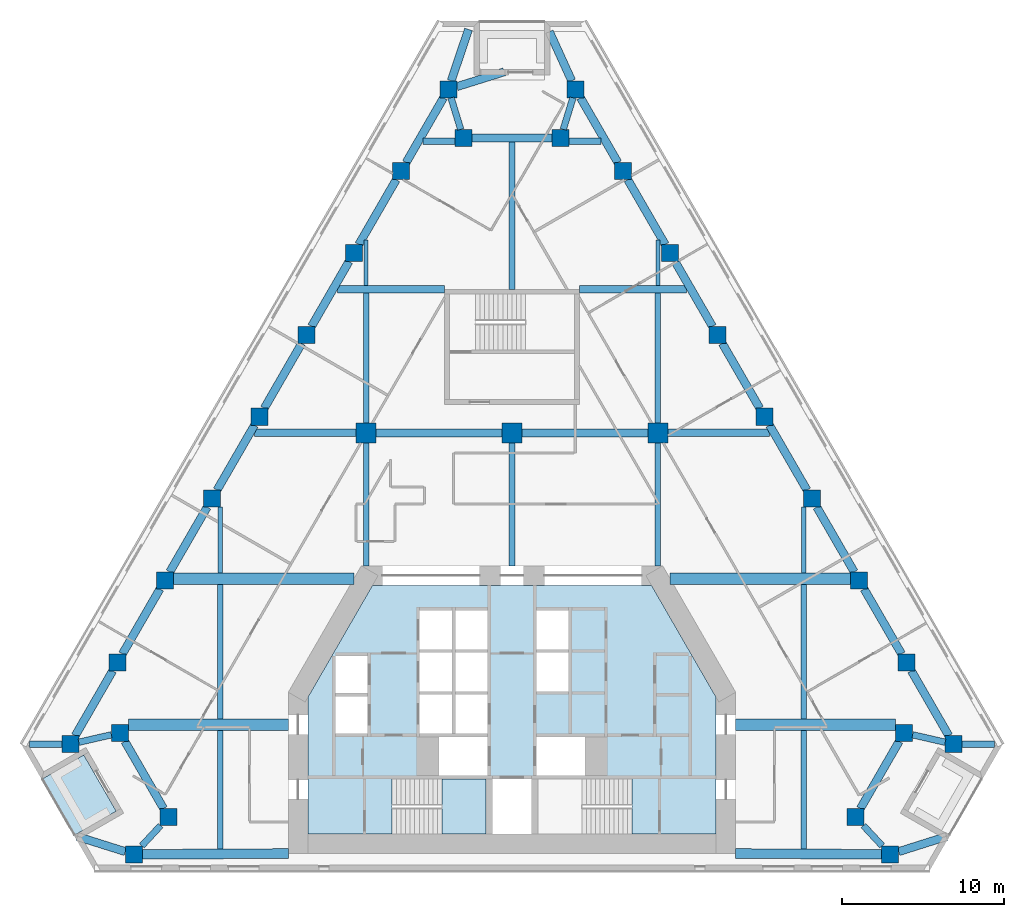
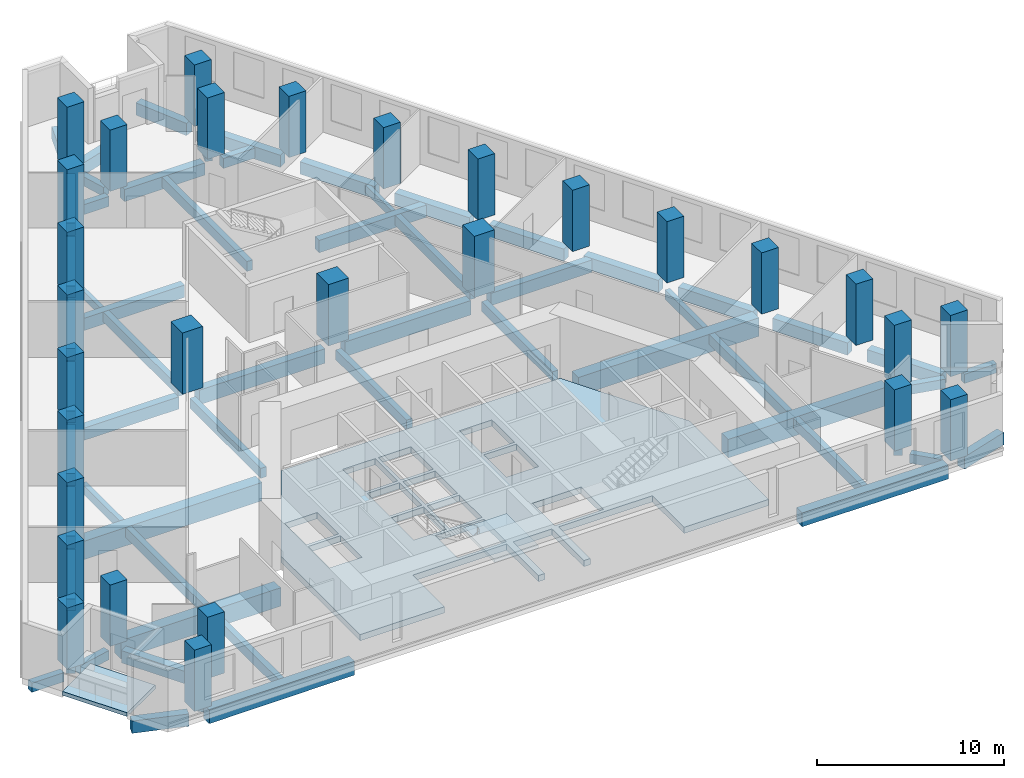
# One storey, part 1 of 10: 60 beams, 29 columns, 3 slabs, 1 element without a shape of its own.
"""IFC4 building model written with IfcOpenShell, lengths in metres."""

import ifcopenshell
import ifcopenshell.guid

model = None  # the IFC model being written
_history = None  # IfcOwnerHistory: only IFC2X3 demands one
_inside = {}  # id of a spatial element -> (the spatial element, [elements in it])
_under = {}  # id of a project, library or spatial element -> (it, [spatial elements below it])
_declared = {}  # id of a project -> (the project, [libraries it declares])
_typed = {}  # id of a type object -> (the type object, [elements of that type])
_made_of = {}  # id of a material, layer set ... -> (it, [elements and type objects made of it])


def new_model(schema):
    """Start an empty IFC model of exactly this schema.

    Asked for "IFC4X3", IfcOpenShell would pick the latest addendum, in which some entities
    have other attributes; the version numbers below select the first issue.
    IFC2X3 requires an IfcOwnerHistory on every rooted entity: one is made here for all.
    """
    global model, _history
    if schema == "IFC4X3":
        model = ifcopenshell.file(schema_version=(4, 3, 0, 0))
    else:
        model = ifcopenshell.file(schema=schema)
    _inside.clear()
    _under.clear()
    _declared.clear()
    _typed.clear()
    _made_of.clear()
    _history = None
    if model.schema == "IFC2X3":
        org = make("IfcOrganization", Name="unknown")
        user = make(
            "IfcPersonAndOrganization",
            ThePerson=make("IfcPerson", FamilyName="unknown"),
            TheOrganization=org,
        )
        app = make(
            "IfcApplication",
            ApplicationDeveloper=org,
            Version="unknown",
            ApplicationFullName="unknown",
            ApplicationIdentifier="unknown",
        )
        _history = make(
            "IfcOwnerHistory",
            OwningUser=user,
            OwningApplication=app,
            ChangeAction="ADDED",
            CreationDate=0,
        )
    return model


def make(cls, **values):
    """One entity of the class cls with the attributes given. An attribute that is None is left unset."""
    return model.create_entity(
        cls, **{name: value for name, value in values.items() if value is not None}
    )


def rooted(cls, **values):
    """An entity with a GlobalId (a new one), such as an element, a storey or a relation."""
    return make(cls, GlobalId=ifcopenshell.guid.new(), OwnerHistory=_history, **values)


def si_unit(unit_type, name, prefix=None):
    """IfcSIUnit, for example si_unit("LENGTHUNIT", "METRE", prefix="MILLI")."""
    return make("IfcSIUnit", UnitType=unit_type, Prefix=prefix, Name=name)


def assignment(units):
    """IfcUnitAssignment: the units of a project."""
    return None if units is None else make("IfcUnitAssignment", Units=units)


def point(xyz):
    """IfcCartesianPoint."""
    return None if xyz is None else make("IfcCartesianPoint", Coordinates=xyz)


def direction(xyz):
    """IfcDirection."""
    return None if xyz is None else make("IfcDirection", DirectionRatios=xyz)


def frame(location, z_axis=None, x_axis=None):
    """IfcAxis2Placement3D, a coordinate frame: its origin and axes. An axis left out is left unset."""
    return make(
        "IfcAxis2Placement3D",
        Location=point(location),
        Axis=direction(z_axis),
        RefDirection=direction(x_axis),
    )


def frame_2d(location, x_axis=None):
    """IfcAxis2Placement2D, a coordinate frame in the plane: its origin and x axis."""
    return make(
        "IfcAxis2Placement2D", Location=point(location), RefDirection=direction(x_axis)
    )


def origin():
    """The frame at (0, 0, 0) with its axes left unset."""
    return frame((0.0, 0.0, 0.0))


def origin_2d():
    """The frame at (0, 0) in the plane with its x axis left unset."""
    return frame_2d((0.0, 0.0))


def place(relative_to, where):
    """IfcLocalPlacement: puts the frame where relative to a parent placement (None: the world)."""
    return make(
        "IfcLocalPlacement", PlacementRelTo=relative_to, RelativePlacement=where
    )


def context(
    kind, dimensions, precision=None, world=None, true_north=None, identifier=None
):
    """IfcGeometricRepresentationContext, for example the 3D "Model" context."""
    return make(
        "IfcGeometricRepresentationContext",
        ContextIdentifier=identifier,
        ContextType=kind,
        CoordinateSpaceDimension=dimensions,
        Precision=precision,
        WorldCoordinateSystem=world,
        TrueNorth=true_north,
    )


def subcontext(parent, identifier, kind, view, scale=None):
    """IfcGeometricRepresentationSubContext, for example "Body" below "Model"."""
    return make(
        "IfcGeometricRepresentationSubContext",
        ContextIdentifier=identifier,
        ContextType=kind,
        ParentContext=parent,
        TargetScale=scale,
        TargetView=view,
    )


def project(units=None, contexts=None):
    """IfcProject with its units and contexts."""
    return rooted(
        "IfcProject",
        Name="project",
        RepresentationContexts=contexts,
        UnitsInContext=assignment(units),
    )


def spatial(cls, under=None, at=None, **own):
    """A site, building, storey or space (cls), placed at a placement, below another one or the project."""
    s = rooted(cls, ObjectPlacement=at, **own)
    if under is not None:
        _under.setdefault(under.id(), (under, []))[1].append(s)
    return s


def polyline(points):
    """IfcPolyline through the points."""
    return make("IfcPolyline", Points=[point(p) for p in points])


def profile(cls, at=None, kind="AREA", **sizes):
    """A parametric profile (cls). Its sizes go by their IFC names, for example OverallWidth=200.0."""
    return make(cls, ProfileType=kind, Position=at, **sizes)


def rectangle(**sizes):
    """IfcRectangleProfileDef."""
    return profile("IfcRectangleProfileDef", **sizes)


def outline(outer, holes=None, kind="AREA"):
    """IfcArbitraryClosedProfileDef: a profile drawn as a closed curve; with holes, ...WithVoids."""
    if holes is None:
        return make("IfcArbitraryClosedProfileDef", ProfileType=kind, OuterCurve=outer)
    return make(
        "IfcArbitraryProfileDefWithVoids",
        ProfileType=kind,
        OuterCurve=outer,
        InnerCurves=holes,
    )


def extrude(swept, where, along, depth):
    """IfcExtrudedAreaSolid: the profile swept, set in the frame where, extruded along a direction by depth."""
    return make(
        "IfcExtrudedAreaSolid",
        SweptArea=swept,
        Position=where,
        ExtrudedDirection=direction(along),
        Depth=depth,
    )


def shape(context_of_items, identifier, shape_type, items):
    """IfcShapeRepresentation: the items that make up one representation, for example the "Body"."""
    return make(
        "IfcShapeRepresentation",
        ContextOfItems=context_of_items,
        RepresentationIdentifier=identifier,
        RepresentationType=shape_type,
        Items=items,
    )


def material(Name=None, Category=None):
    """IfcMaterial."""
    return make("IfcMaterial", Name=Name, Category=Category)


def layer(
    of_material, thickness, ventilated=None, Name=None, Category=None, Priority=None
):
    """IfcMaterialLayer: one layer of a wall or slab, of a material (None: an air gap)."""
    return make(
        "IfcMaterialLayer",
        Material=of_material,
        LayerThickness=thickness,
        IsVentilated=ventilated,
        Name=Name,
        Category=Category,
        Priority=Priority,
    )


def layer_set(layers, Name=None):
    """IfcMaterialLayerSet."""
    return make("IfcMaterialLayerSet", MaterialLayers=layers, LayerSetName=Name)


def material_profile(
    of_material, cross_section, Name=None, Category=None, Priority=None
):
    """IfcMaterialProfile: a cross section and its material."""
    return make(
        "IfcMaterialProfile",
        Name=Name,
        Material=of_material,
        Profile=cross_section,
        Priority=Priority,
        Category=Category,
    )


def profile_set(profiles, Name=None, composite=None):
    """IfcMaterialProfileSet."""
    return make(
        "IfcMaterialProfileSet",
        Name=Name,
        MaterialProfiles=profiles,
        CompositeProfile=composite,
    )


def made_of(thing, what):
    """Note that an element or type object is made of a material, layer set ...; save() writes the relation."""
    if what is not None:
        _made_of.setdefault(what.id(), (what, []))[1].append(thing)
    return thing


def type_object(cls, material=None, **own):
    """A type object (cls), such as IfcWallType, which elements share."""
    return made_of(rooted(cls, **own), material)


def element(
    cls,
    number,
    at=None,
    inside=None,
    cuts=None,
    type_object=None,
    material=None,
    context=None,
    identifier="Body",
    shape_type=None,
    held_by="IfcProductDefinitionShape",
    body=None,
    shapes=None,
    **own,
):
    """One element of the class cls, such as IfcWall. Its Tag is "e" and its number.

    at: its placement. inside: the storey or other place that contains it. cuts: it is an
    opening in that element (IfcRelVoidsElement). A single representation is given by context,
    identifier, shape_type and body (its items); several are given by shapes. held_by: the class
    of the entity that holds the representations. save() writes the other relations.
    """
    e = rooted(cls, Tag="e%d" % number, ObjectPlacement=at, **own)
    if body is not None:
        shapes = [shape(context, identifier, shape_type, body)]
    if shapes is not None:
        e.Representation = make(held_by, Representations=shapes)
    if inside is not None:
        _inside.setdefault(inside.id(), (inside, []))[1].append(e)
    if cuts is not None:
        rooted(
            "IfcRelVoidsElement", RelatingBuildingElement=cuts, RelatedOpeningElement=e
        )
    if type_object is not None:
        _typed.setdefault(type_object.id(), (type_object, []))[1].append(e)
    return made_of(e, material)


def aggregate(whole, parts):
    """IfcRelAggregates: a whole, such as a stair, and the parts it consists of."""
    return rooted("IfcRelAggregates", RelatingObject=whole, RelatedObjects=parts)


def save(model, path):
    """Write the relations noted so far, then the file.

    IfcRelAggregates (storeys below a building ...), IfcRelContainedInSpatialStructure (elements
    in a storey), IfcRelDefinesByType, IfcRelAssociatesMaterial and IfcRelDeclares: one each for
    every whole, place, type object, material and project.
    """
    for whole, parts in _under.values():
        aggregate(whole, parts)
    for where, things in _inside.values():
        rooted(
            "IfcRelContainedInSpatialStructure",
            RelatedElements=things,
            RelatingStructure=where,
        )
    for kind, things in _typed.values():
        rooted("IfcRelDefinesByType", RelatedObjects=things, RelatingType=kind)
    for what, things in _made_of.values():
        rooted("IfcRelAssociatesMaterial", RelatedObjects=things, RelatingMaterial=what)
    for by, libraries in _declared.values():
        rooted("IfcRelDeclares", RelatingContext=by, RelatedDefinitions=libraries)
    model.write(path)


model = new_model("IFC4")

# Units and contexts
model_context = context("Model", 3, precision=1e-05, world=origin(), true_north=direction((0.0, 1.0)))
body_context = subcontext(model_context, "Body", "Model", "MODEL_VIEW")
ifc_project = project(units=[si_unit("LENGTHUNIT", "METRE"), si_unit("AREAUNIT", "SQUARE_METRE"), si_unit("VOLUMEUNIT", "CUBIC_METRE"), si_unit("PLANEANGLEUNIT", "RADIAN"), si_unit("MASSUNIT", "GRAM", prefix="KILO")], contexts=[model_context])

# Site, building, storey
site_placement = place(None, origin())
site = spatial("IfcSite", under=ifc_project, at=site_placement, CompositionType="ELEMENT")
building_placement = place(site_placement, origin())
building = spatial("IfcBuilding", under=site, at=building_placement, Name="Fogline Exchange Tower", CompositionType="ELEMENT")
storey_placement = place(building_placement, frame((0.0, 0.0, 116.10009765625)))
storey = spatial("IfcBuildingStorey", under=building, at=storey_placement, Name="L25", CompositionType="ELEMENT", Elevation=116.10009765625)

# Columns
ifc_material_1 = material(Name="Concrete C70", Category="concrete")
ifc_material_profile_1 = material_profile(ifc_material_1, rectangle(XDim=1.25, YDim=1.25, at=origin_2d()), Name="RC 1250x1250")
ifc_profile_set_1 = profile_set([ifc_material_profile_1], Name="Concrete C70")
column_type_1 = type_object("IfcColumnType", Name="C03", PredefinedType="COLUMN", material=ifc_profile_set_1)
for number, where, z_axis, x_axis, name in (
    (1, (-9.0, 27.0, 0.0), (0.0, 0.0, 1.0), (1.0, 0.0, 0.0), "IC--9-27"),
    (2, (0.0, 27.0, 0.0), (0.0, 0.0, 1.0), (1.0, 0.0, 0.0), "IC-0-27"),
    (3, (9.0, 27.0, 0.0), (0.0, 0.0, 1.0), (1.0, 0.0, 0.0), "IC-9-27"),
):
    element("IfcColumn", number, at=place(storey_placement, frame(where, z_axis=z_axis, x_axis=x_axis)), inside=storey, type_object=column_type_1, Name=name, PredefinedType="COLUMN", context=body_context, shape_type="SweptSolid", body=[
        extrude(rectangle(XDim=1.25, YDim=1.25, at=origin_2d()), origin(), (0.0, 0.0, 1.0), 4.0),
    ])
ifc_material_profile_2 = material_profile(ifc_material_1, rectangle(XDim=1.050048828125, YDim=1.050048828125, at=origin_2d()), Name="RC 1050x1050")
ifc_profile_set_2 = profile_set([ifc_material_profile_2], Name="Concrete C70")
column_type_2 = type_object("IfcColumnType", Name="C04", PredefinedType="COLUMN", material=ifc_profile_set_2)
for number, where, z_axis, x_axis, name in (
    (4, (-27.2490234375, 7.794189453125, 0.0), (0.0, 0.0, 1.0), (1.0, 0.0, 0.0), "SW-a"),
    (5, (-24.189697265625, 8.4951171875, 0.0), (0.0, 0.0, 1.0), (1.0, 0.0, 0.0), "SW-p4"),
    (6, (-21.189697265625, 3.299072265625, 0.0), (0.0, 0.0, 1.0), (1.0, 0.0, 0.0), "SW-p3"),
    (7, (-23.326416015625, 1.0, 0.0), (0.0, 0.0, 1.0), (1.0, 0.0, 0.0), "SW-b"),
    (8, (23.326416015625, 1.0, 0.0), (0.0, 0.0, 1.0), (1.0, 0.0, 0.0), "SE-a"),
    (9, (21.189697265625, 3.299072265625, 0.0), (0.0, 0.0, 1.0), (1.0, 0.0, 0.0), "SE-p4"),
    (10, (24.189697265625, 8.4951171875, 0.0), (0.0, 0.0, 1.0), (1.0, 0.0, 0.0), "SE-p3"),
    (11, (27.2490234375, 7.794189453125, 0.0), (0.0, 0.0, 1.0), (1.0, 0.0, 0.0), "SE-b"),
    (12, (24.333251953125, 12.844482421875, 0.0), (0.0, 0.0, 1.0), (1.0, 0.0, 0.0), "E1"),
    (13, (21.41748046875, 17.894775390625, 0.0), (0.0, 0.0, 1.0), (1.0, 0.0, 0.0), "E2"),
    (14, (18.501708984375, 22.945068359375, 0.0), (0.0, 0.0, 1.0), (1.0, 0.0, 0.0), "E3"),
    (15, (15.585693359375, 27.995361328125, 0.0), (0.0, 0.0, 1.0), (1.0, 0.0, 0.0), "E4"),
    (16, (12.669921875, 33.045654296875, 0.0), (0.0, 0.0, 1.0), (1.0, 0.0, 0.0), "E5"),
    (17, (9.754150390625, 38.095947265625, 0.0), (0.0, 0.0, 1.0), (1.0, 0.0, 0.0), "E6"),
    (18, (6.83837890625, 43.146240234375, 0.0), (0.0, 0.0, 1.0), (1.0, 0.0, 0.0), "E7"),
    (19, (3.922607421875, 48.19677734375, 0.0), (0.0, 0.0, 1.0), (1.0, 0.0, 0.0), "N-a"),
    (20, (3.0, 45.19677734375, 0.0), (0.0, 0.0, 1.0), (1.0, 0.0, 0.0), "N-p4"),
    (21, (-3.0, 45.19677734375, 0.0), (0.0, 0.0, 1.0), (1.0, 0.0, 0.0), "N-p3"),
    (22, (-3.922607421875, 48.19677734375, 0.0), (0.0, 0.0, 1.0), (1.0, 0.0, 0.0), "N-b"),
    (23, (-6.83837890625, 43.146240234375, 0.0), (0.0, 0.0, 1.0), (1.0, 0.0, 0.0), "W1"),
    (24, (-9.754150390625, 38.095947265625, 0.0), (0.0, 0.0, 1.0), (1.0, 0.0, 0.0), "W2"),
    (25, (-12.669921875, 33.045654296875, 0.0), (0.0, 0.0, 1.0), (1.0, 0.0, 0.0), "W3"),
    (26, (-15.585693359375, 27.995361328125, 0.0), (0.0, 0.0, 1.0), (1.0, 0.0, 0.0), "W4"),
    (27, (-18.501708984375, 22.945068359375, 0.0), (0.0, 0.0, 1.0), (1.0, 0.0, 0.0), "W5"),
    (28, (-21.41748046875, 17.894775390625, 0.0), (0.0, 0.0, 1.0), (1.0, 0.0, 0.0), "W6"),
    (29, (-24.333251953125, 12.844482421875, 0.0), (0.0, 0.0, 1.0), (1.0, 0.0, 0.0), "W7"),
):
    element("IfcColumn", number, at=place(storey_placement, frame(where, z_axis=z_axis, x_axis=x_axis)), inside=storey, type_object=column_type_2, Name=name, PredefinedType="COLUMN", context=body_context, shape_type="SweptSolid", body=[
        extrude(rectangle(XDim=1.050048828125, YDim=1.050048828125, at=origin_2d()), origin(), (0.0, 0.0, 1.0), 4.0),
    ])

# Beams
ifc_material_2 = material(Name="Concrete C40", Category="concrete")
ifc_material_profile_3 = material_profile(ifc_material_2, rectangle(XDim=0.300048828125, YDim=0.60009765625, at=origin_2d()), Name="RC 300x600")
ifc_profile_set_3 = profile_set([ifc_material_profile_3], Name="Concrete C40")
beam_type_1 = type_object("IfcBeamType", Name="B06", PredefinedType="BEAM", material=ifc_profile_set_3)
for number, where, z_axis, x_axis, name in (
    (30, (-18.0, 18.35009765625, -0.7001953125), (0.0, 1.0, 0.0), (-1.0, 0.0, 0.0), "SB003"),
    (31, (18.0, 18.35009765625, -0.7001953125), (0.0, 1.0, 0.0), (-1.0, 0.0, 0.0), "SB014"),
):
    element("IfcBeam", number, at=place(storey_placement, frame(where, z_axis=z_axis, x_axis=x_axis)), inside=storey, type_object=beam_type_1, Name=name, PredefinedType="BEAM", context=body_context, shape_type="SweptSolid", body=[
        extrude(rectangle(XDim=0.300048828125, YDim=0.60009765625, at=origin_2d()), origin(), (0.0, 0.0, 1.0), 4.070068359375),
    ])
ifc_material_profile_4 = material_profile(ifc_material_2, rectangle(XDim=0.25, YDim=0.5, at=origin_2d()), Name="RC 250x500")
ifc_profile_set_4 = profile_set([ifc_material_profile_4], Name="Concrete C40")
beam_type_2 = type_object("IfcBeamType", Name="B08", PredefinedType="BEAM", material=ifc_profile_set_4)
for number, where, z_axis, x_axis, name in (
    (32, (-9.0, 36.08203125, -0.650146484375), (0.0, 1.0, 0.0), (-1.0, 0.0, 0.0), "SB006"),
    (33, (9.0, 36.08203125, -0.650146484375), (0.0, 1.0, 0.0), (-1.0, 0.0, 0.0), "SB011"),
):
    element("IfcBeam", number, at=place(storey_placement, frame(where, z_axis=z_axis, x_axis=x_axis)), inside=storey, type_object=beam_type_2, Name=name, PredefinedType="BEAM", context=body_context, shape_type="SweptSolid", body=[
        extrude(rectangle(XDim=0.25, YDim=0.5, at=origin_2d()), origin(), (0.0, 0.0, 1.0), 2.8203125),
    ])
ifc_material_profile_5 = material_profile(ifc_material_2, rectangle(XDim=0.60009765625, YDim=0.89990234375, at=origin_2d()), Name="RC 600x900")
ifc_profile_set_5 = profile_set([ifc_material_profile_5], Name="Concrete C40")
beam_type_3 = type_object("IfcBeamType", Name="B09", PredefinedType="BEAM", material=ifc_profile_set_5)
for number, where, z_axis, x_axis, name in (
    (34, (-22.801513671875, 1.0, -0.85009765625), (0.999984543136, 0.005559990001, 0.0), (-0.005559990001, 0.999984543136, 0.0), "RB004"),
    (35, (13.800048828125, 1.050048828125, -0.85009765625), (0.999984543136, -0.005559990001, 0.0), (0.005559990001, 0.999984543136, 0.0), "RB005"),
):
    element("IfcBeam", number, at=place(storey_placement, frame(where, z_axis=z_axis, x_axis=x_axis)), inside=storey, type_object=beam_type_3, Name=name, PredefinedType="BEAM", context=body_context, shape_type="SweptSolid", body=[
        extrude(rectangle(XDim=0.60009765625, YDim=0.89990234375, at=origin_2d()), origin(), (0.0, 0.0, 1.0), 9.001708984375),
    ])
ifc_material_profile_6 = material_profile(ifc_material_2, rectangle(XDim=0.5, YDim=0.800048828125, at=origin_2d()), Name="RC 500x800")
ifc_profile_set_6 = profile_set([ifc_material_profile_6], Name="Concrete C40")
beam_type_4 = type_object("IfcBeamType", Name="B10", PredefinedType="BEAM", material=ifc_profile_set_6)
for number, where, z_axis, x_axis, name in (
    (36, (-23.886474609375, 7.97021484375, -0.800048828125), (0.499994660107, -0.866028486751, 0.0), (0.866028486751, 0.499994660107, 0.0), "RB002"),
    (37, (21.49267578125, 3.823974609375, -0.800048828125), (0.499994660107, 0.866028486751, 0.0), (-0.866028486751, 0.499994660107, 0.0), "RB007"),
):
    element("IfcBeam", number, at=place(storey_placement, frame(where, z_axis=z_axis, x_axis=x_axis)), inside=storey, type_object=beam_type_4, Name=name, PredefinedType="BEAM", context=body_context, shape_type="SweptSolid", body=[
        extrude(rectangle(XDim=0.5, YDim=0.800048828125, at=origin_2d()), origin(), (0.0, 0.0, 1.0), 4.78759765625),
    ])
for number, where, z_axis, x_axis, name in (
    (38, (26.94580078125, 8.319091796875, -0.800048828125), (-0.499981705991, 0.866035965578, 0.0), (-0.866035965578, -0.499981705991, 0.0), "RB009"),
    (39, (24.030029296875, 13.369384765625, -0.800048828125), (-0.499981705991, 0.866035965578, 0.0), (-0.866035965578, -0.499981705991, 0.0), "RB010"),
):
    element("IfcBeam", number, at=place(storey_placement, frame(where, z_axis=z_axis, x_axis=x_axis)), inside=storey, type_object=beam_type_4, Name=name, PredefinedType="BEAM", context=body_context, shape_type="SweptSolid", body=[
        extrude(rectangle(XDim=0.5, YDim=0.800048828125, at=origin_2d()), origin(), (0.0, 0.0, 1.0), 4.619384765625),
    ])
for number, where, z_axis, x_axis, name in (
    (40, (21.1142578125, 18.419921875, -0.800048828125), (-0.500004591975, 0.86602275259, 0.0), (-0.86602275259, -0.500004591975, 0.0), "RB011"),
    (41, (18.198486328125, 23.47021484375, -0.800048828125), (-0.500004591975, 0.86602275259, 0.0), (-0.86602275259, -0.500004591975, 0.0), "RB012"),
    (42, (15.28271484375, 28.5205078125, -0.800048828125), (-0.500004591975, 0.86602275259, 0.0), (-0.86602275259, -0.500004591975, 0.0), "RB013"),
    (43, (12.366943359375, 33.57080078125, -0.800048828125), (-0.500004591975, 0.86602275259, 0.0), (-0.86602275259, -0.500004591975, 0.0), "RB014"),
    (44, (9.451171875, 38.62109375, -0.800048828125), (-0.500004591975, 0.86602275259, 0.0), (-0.86602275259, -0.500004591975, 0.0), "RB015"),
    (45, (6.535400390625, 43.67138671875, -0.800048828125), (-0.500004591975, 0.86602275259, 0.0), (-0.86602275259, -0.500004591975, 0.0), "RB016"),
):
    element("IfcBeam", number, at=place(storey_placement, frame(where, z_axis=z_axis, x_axis=x_axis)), inside=storey, type_object=beam_type_4, Name=name, PredefinedType="BEAM", context=body_context, shape_type="SweptSolid", body=[
        extrude(rectangle(XDim=0.5, YDim=0.800048828125, at=origin_2d()), origin(), (0.0, 0.0, 1.0), 4.619140625),
    ])
beam_1_placement = place(storey_placement, frame((2.47509765625, 45.19677734375, -0.800048828125), z_axis=(-1.0, 0.0, 0.0), x_axis=(0.0, -1.0, 0.0)))
element("IfcBeam", 46, at=beam_1_placement, inside=storey, type_object=beam_type_4, Name="RB018", PredefinedType="BEAM", context=body_context, shape_type="SweptSolid", body=[
    extrude(rectangle(XDim=0.5, YDim=0.800048828125, at=origin_2d()), origin(), (0.0, 0.0, 1.0), 4.9501953125),
])
for number, where, z_axis, x_axis, name in (
    (47, (-4.225830078125, 47.671630859375, -0.800048828125), (-0.500004591975, -0.86602275259, 0.0), (0.86602275259, -0.500004591975, 0.0), "RB020"),
    (48, (-7.1416015625, 42.621337890625, -0.800048828125), (-0.500004591975, -0.86602275259, 0.0), (0.86602275259, -0.500004591975, 0.0), "RB021"),
    (49, (-10.057373046875, 37.571044921875, -0.800048828125), (-0.500004591975, -0.86602275259, 0.0), (0.86602275259, -0.500004591975, 0.0), "RB022"),
    (50, (-12.97314453125, 32.520751953125, -0.800048828125), (-0.500004591975, -0.86602275259, 0.0), (0.86602275259, -0.500004591975, 0.0), "RB023"),
    (51, (-15.888916015625, 27.470458984375, -0.800048828125), (-0.500004591975, -0.86602275259, 0.0), (0.86602275259, -0.500004591975, 0.0), "RB024"),
    (52, (-18.8046875, 22.420166015625, -0.800048828125), (-0.500004591975, -0.86602275259, 0.0), (0.86602275259, -0.500004591975, 0.0), "RB025"),
):
    element("IfcBeam", number, at=place(storey_placement, frame(where, z_axis=z_axis, x_axis=x_axis)), inside=storey, type_object=beam_type_4, Name=name, PredefinedType="BEAM", context=body_context, shape_type="SweptSolid", body=[
        extrude(rectangle(XDim=0.5, YDim=0.800048828125, at=origin_2d()), origin(), (0.0, 0.0, 1.0), 4.619140625),
    ])
for number, where, z_axis, x_axis, name in (
    (53, (-21.720458984375, 17.369873046875, -0.800048828125), (-0.499981705991, -0.866035965578, 0.0), (0.866035965578, -0.499981705991, 0.0), "RB026"),
    (54, (-24.63623046875, 12.319580078125, -0.800048828125), (-0.499981705991, -0.866035965578, 0.0), (0.866035965578, -0.499981705991, 0.0), "RB027"),
):
    element("IfcBeam", number, at=place(storey_placement, frame(where, z_axis=z_axis, x_axis=x_axis)), inside=storey, type_object=beam_type_4, Name=name, PredefinedType="BEAM", context=body_context, shape_type="SweptSolid", body=[
        extrude(rectangle(XDim=0.5, YDim=0.800048828125, at=origin_2d()), origin(), (0.0, 0.0, 1.0), 4.619384765625),
    ])
beam_2_placement = place(storey_placement, frame((3.68359375, 48.7216796875, -0.800048828125), z_axis=(-0.414295533149, 0.9101424126, 0.0), x_axis=(-0.9101424126, -0.414295533149, 0.0)))
element("IfcBeam", 55, at=beam_2_placement, inside=storey, type_object=beam_type_4, Name="SP028", PredefinedType="BEAM", context=body_context, shape_type="SweptSolid", body=[
    extrude(rectangle(XDim=0.5, YDim=0.800048828125, at=origin_2d()), origin(), (0.0, 0.0, 1.0), 3.322998046875),
])
beam_3_placement = place(storey_placement, frame((-3.74658203125, 48.7216796875, -0.800048828125), z_axis=(0.317890789152, 0.948127336476, 0.0), x_axis=(-0.948127336476, 0.317890789152, 0.0)))
element("IfcBeam", 56, at=beam_3_placement, inside=storey, type_object=beam_type_4, Name="SP029", PredefinedType="BEAM", context=body_context, shape_type="SweptSolid", body=[
    extrude(rectangle(XDim=0.5, YDim=0.800048828125, at=origin_2d()), origin(), (0.0, 0.0, 1.0), 3.34619140625),
])
beam_4_placement = place(storey_placement, frame((23.851318359375, 1.166015625, -0.800048828125), z_axis=(0.953529245217, 0.301300478786, 0.0), x_axis=(-0.301300478786, 0.953529245217, 0.0)))
element("IfcBeam", 57, at=beam_4_placement, inside=storey, type_object=beam_type_4, Name="SP030", PredefinedType="BEAM", context=body_context, shape_type="SweptSolid", body=[
    extrude(rectangle(XDim=0.5, YDim=0.800048828125, at=origin_2d()), origin(), (0.0, 0.0, 1.0), 3.109130859375),
])
beam_5_placement = place(storey_placement, frame((-23.851318359375, 1.165283203125, -0.800048828125), z_axis=(-0.953910372128, 0.300091655909, 0.0), x_axis=(-0.300091655909, -0.953910372128, 0.0)))
element("IfcBeam", 58, at=beam_5_placement, inside=storey, type_object=beam_type_4, Name="SP031", PredefinedType="BEAM", context=body_context, shape_type="SweptSolid", body=[
    extrude(rectangle(XDim=0.5, YDim=0.800048828125, at=origin_2d()), origin(), (0.0, 0.0, 1.0), 3.113525390625),
])
beam_6_placement = place(storey_placement, frame((-3.397705078125, 48.36083984375, -0.800048828125), z_axis=(0.954474292047, 0.298293187689, 0.0), x_axis=(-0.298293187689, 0.954474292047, 0.0)))
element("IfcBeam", 59, at=beam_6_placement, inside=storey, type_object=beam_type_4, Name="SP034", PredefinedType="BEAM", context=body_context, shape_type="SweptSolid", body=[
    extrude(rectangle(XDim=0.5, YDim=0.800048828125, at=origin_2d()), origin(), (0.0, 0.0, 1.0), 3.05615234375),
])
ifc_material_profile_7 = material_profile(ifc_material_2, rectangle(XDim=0.39990234375, YDim=0.60009765625, at=origin_2d()), Name="RC 400x600")
ifc_profile_set_7 = profile_set([ifc_material_profile_7], Name="Concrete C40")
beam_type_5 = type_object("IfcBeamType", Name="B11", PredefinedType="BEAM", material=ifc_profile_set_7)
beam_7_placement = place(storey_placement, frame((-26.72412109375, 7.91455078125, -0.7001953125), z_axis=(0.974739301343, 0.223345683676, 0.0), x_axis=(-0.223345683676, 0.974739301343, 0.0)))
element("IfcBeam", 60, at=beam_7_placement, inside=storey, type_object=beam_type_5, Name="RB001", PredefinedType="BEAM", context=body_context, shape_type="SweptSolid", body=[
    extrude(rectangle(XDim=0.39990234375, YDim=0.60009765625, at=origin_2d()), origin(), (0.0, 0.0, 1.0), 2.0615234375),
])
for number, where, z_axis, x_axis, name in (
    (61, (-21.677490234375, 2.77392578125, -0.7001953125), (-0.680791505026, -0.732477253357, 0.0), (0.732477253357, -0.680791505026, 0.0), "RB003"),
    (62, (22.83837890625, 1.52490234375, -0.7001953125), (-0.680791505026, 0.732477253357, 0.0), (-0.732477253357, -0.680791505026, 0.0), "RB006"),
):
    element("IfcBeam", number, at=place(storey_placement, frame(where, z_axis=z_axis, x_axis=x_axis)), inside=storey, type_object=beam_type_5, Name=name, PredefinedType="BEAM", context=body_context, shape_type="SweptSolid", body=[
        extrude(rectangle(XDim=0.39990234375, YDim=0.60009765625, at=origin_2d()), origin(), (0.0, 0.0, 1.0), 1.705322265625),
    ])
beam_8_placement = place(storey_placement, frame((24.714599609375, 8.375, -0.7001953125), z_axis=(0.974739301343, -0.223345683676, 0.0), x_axis=(0.223345683676, 0.974739301343, 0.0)))
element("IfcBeam", 63, at=beam_8_placement, inside=storey, type_object=beam_type_5, Name="RB008", PredefinedType="BEAM", context=body_context, shape_type="SweptSolid", body=[
    extrude(rectangle(XDim=0.39990234375, YDim=0.60009765625, at=origin_2d()), origin(), (0.0, 0.0, 1.0), 2.0615234375),
])
for number, where, z_axis, x_axis, name in (
    (64, (3.76123046875, 47.671630859375, -0.7001953125), (-0.293917654764, -0.955830744545, 0.0), (0.955830744545, -0.293917654764, 0.0), "RB017"),
    (65, (-3.16162109375, 45.7216796875, -0.7001953125), (-0.293917654764, 0.955830744545, 0.0), (-0.955830744545, -0.293917654764, 0.0), "RB019"),
):
    element("IfcBeam", number, at=place(storey_placement, frame(where, z_axis=z_axis, x_axis=x_axis)), inside=storey, type_object=beam_type_5, Name=name, PredefinedType="BEAM", context=body_context, shape_type="SweptSolid", body=[
        extrude(rectangle(XDim=0.39990234375, YDim=0.60009765625, at=origin_2d()), origin(), (0.0, 0.0, 1.0), 2.0400390625),
    ])
beam_9_placement = place(storey_placement, frame((-27.77392578125, 7.794189453125, -0.7001953125), z_axis=(-1.0, 0.0, 0.0), x_axis=(0.0, -1.0, 0.0)))
element("IfcBeam", 66, at=beam_9_placement, inside=storey, type_object=beam_type_5, Name="SP032", PredefinedType="BEAM", context=body_context, shape_type="SweptSolid", body=[
    extrude(rectangle(XDim=0.39990234375, YDim=0.60009765625, at=origin_2d()), origin(), (0.0, 0.0, 1.0), 1.99169921875),
])
beam_10_placement = place(storey_placement, frame((27.77392578125, 7.79541015625, -0.7001953125), z_axis=(0.999998070107, 0.001964632751, 0.0), x_axis=(-0.001964632751, 0.999998070107, 0.0)))
element("IfcBeam", 67, at=beam_10_placement, inside=storey, type_object=beam_type_5, Name="SP033", PredefinedType="BEAM", context=body_context, shape_type="SweptSolid", body=[
    extrude(rectangle(XDim=0.39990234375, YDim=0.60009765625, at=origin_2d()), origin(), (0.0, 0.0, 1.0), 1.98828125),
])
ifc_material_profile_8 = material_profile(ifc_material_2, rectangle(XDim=0.39990234375, YDim=0.64990234375, at=origin_2d()), Name="RC 400x650")
ifc_profile_set_8 = profile_set([ifc_material_profile_8], Name="Concrete C40")
beam_type_6 = type_object("IfcBeamType", Name="B13", PredefinedType="BEAM", material=ifc_profile_set_8)
for number, where, z_axis, x_axis, name in (
    (68, (-5.4794921875, 45.0, -0.72509765625), (1.0, 0.0, 0.0), (0.0, 1.0, 0.0), "GB011"),
    (69, (3.52490234375, 45.0, -0.72509765625), (1.0, 0.0, 0.0), (0.0, 1.0, 0.0), "GB012"),
):
    element("IfcBeam", number, at=place(storey_placement, frame(where, z_axis=z_axis, x_axis=x_axis)), inside=storey, type_object=beam_type_6, Name=name, PredefinedType="BEAM", context=body_context, shape_type="SweptSolid", body=[
        extrude(rectangle(XDim=0.39990234375, YDim=0.64990234375, at=origin_2d()), origin(), (0.0, 0.0, 1.0), 1.95458984375),
    ])
ifc_material_profile_9 = material_profile(ifc_material_2, rectangle(XDim=0.5, YDim=0.949951171875, at=origin_2d()), Name="RC 500x950")
ifc_profile_set_9 = profile_set([ifc_material_profile_9], Name="Concrete C40")
beam_type_7 = type_object("IfcBeamType", Name="B14", PredefinedType="BEAM", material=ifc_profile_set_9)
for number, where, z_axis, x_axis, name in (
    (70, (-8.375, 27.0, -0.875), (1.0, 0.0, 0.0), (0.0, 1.0, 0.0), "GB006"),
    (71, (0.625, 27.0, -0.875), (1.0, 0.0, 0.0), (0.0, 1.0, 0.0), "GB007"),
):
    element("IfcBeam", number, at=place(storey_placement, frame(where, z_axis=z_axis, x_axis=x_axis)), inside=storey, type_object=beam_type_7, Name=name, PredefinedType="BEAM", context=body_context, shape_type="SweptSolid", body=[
        extrude(rectangle(XDim=0.5, YDim=0.949951171875, at=origin_2d()), origin(), (0.0, 0.0, 1.0), 7.75),
    ])
ifc_material_profile_10 = material_profile(ifc_material_2, rectangle(XDim=0.35009765625, YDim=0.64990234375, at=origin_2d()), Name="RC 350x650")
ifc_profile_set_10 = profile_set([ifc_material_profile_10], Name="Concrete C40")
beam_type_8 = type_object("IfcBeamType", Name="B16", PredefinedType="BEAM", material=ifc_profile_set_10)
beam_11_placement = place(storey_placement, frame((-18.0, 1.327880859375, -0.72509765625), z_axis=(0.0, 1.0, 0.0), x_axis=(-1.0, 0.0, 0.0)))
element("IfcBeam", 72, at=beam_11_placement, inside=storey, type_object=beam_type_8, Name="SB001", PredefinedType="BEAM", context=body_context, shape_type="SweptSolid", body=[
    extrude(rectangle(XDim=0.35009765625, YDim=0.64990234375, at=origin_2d()), origin(), (0.0, 0.0, 1.0), 7.322021484375),
])
beam_12_placement = place(storey_placement, frame((-18.0, 9.35009765625, -0.72509765625), z_axis=(0.0, 1.0, 0.0), x_axis=(-1.0, 0.0, 0.0)))
element("IfcBeam", 73, at=beam_12_placement, inside=storey, type_object=beam_type_8, Name="SB002", PredefinedType="BEAM", context=body_context, shape_type="SweptSolid", body=[
    extrude(rectangle(XDim=0.35009765625, YDim=0.64990234375, at=origin_2d()), origin(), (0.0, 0.0, 1.0), 8.2998046875),
])
beam_13_placement = place(storey_placement, frame((-9.0, 18.800048828125, -0.72509765625), z_axis=(0.0, 1.0, 0.0), x_axis=(-1.0, 0.0, 0.0)))
element("IfcBeam", 74, at=beam_13_placement, inside=storey, type_object=beam_type_8, Name="SB004", PredefinedType="BEAM", context=body_context, shape_type="SweptSolid", body=[
    extrude(rectangle(XDim=0.35009765625, YDim=0.64990234375, at=origin_2d()), origin(), (0.0, 0.0, 1.0), 7.574951171875),
])
beam_14_placement = place(storey_placement, frame((-9.0, 27.625, -0.72509765625), z_axis=(0.0, 1.0, 0.0), x_axis=(-1.0, 0.0, 0.0)))
element("IfcBeam", 75, at=beam_14_placement, inside=storey, type_object=beam_type_8, Name="SB005", PredefinedType="BEAM", context=body_context, shape_type="SweptSolid", body=[
    extrude(rectangle(XDim=0.35009765625, YDim=0.64990234375, at=origin_2d()), origin(), (0.0, 0.0, 1.0), 8.007080078125),
])
beam_15_placement = place(storey_placement, frame((0.0, 18.800048828125, -0.72509765625), z_axis=(0.0, 1.0, 0.0), x_axis=(-1.0, 0.0, 0.0)))
element("IfcBeam", 76, at=beam_15_placement, inside=storey, type_object=beam_type_8, Name="SB007", PredefinedType="BEAM", context=body_context, shape_type="SweptSolid", body=[
    extrude(rectangle(XDim=0.35009765625, YDim=0.64990234375, at=origin_2d()), origin(), (0.0, 0.0, 1.0), 7.574951171875),
])
beam_16_placement = place(storey_placement, frame((0.0, 35.85693359375, -0.72509765625), z_axis=(0.0, 1.0, 0.0), x_axis=(-1.0, 0.0, 0.0)))
element("IfcBeam", 77, at=beam_16_placement, inside=storey, type_object=beam_type_8, Name="SB008", PredefinedType="BEAM", context=body_context, shape_type="SweptSolid", body=[
    extrude(rectangle(XDim=0.35009765625, YDim=0.64990234375, at=origin_2d()), origin(), (0.0, 0.0, 1.0), 9.08984375),
])
beam_17_placement = place(storey_placement, frame((9.0, 18.800048828125, -0.72509765625), z_axis=(0.0, 1.0, 0.0), x_axis=(-1.0, 0.0, 0.0)))
element("IfcBeam", 78, at=beam_17_placement, inside=storey, type_object=beam_type_8, Name="SB009", PredefinedType="BEAM", context=body_context, shape_type="SweptSolid", body=[
    extrude(rectangle(XDim=0.35009765625, YDim=0.64990234375, at=origin_2d()), origin(), (0.0, 0.0, 1.0), 7.574951171875),
])
beam_18_placement = place(storey_placement, frame((9.0, 27.625, -0.72509765625), z_axis=(0.0, 1.0, 0.0), x_axis=(-1.0, 0.0, 0.0)))
element("IfcBeam", 79, at=beam_18_placement, inside=storey, type_object=beam_type_8, Name="SB010", PredefinedType="BEAM", context=body_context, shape_type="SweptSolid", body=[
    extrude(rectangle(XDim=0.35009765625, YDim=0.64990234375, at=origin_2d()), origin(), (0.0, 0.0, 1.0), 8.007080078125),
])
beam_19_placement = place(storey_placement, frame((18.0, 1.327880859375, -0.72509765625), z_axis=(0.0, 1.0, 0.0), x_axis=(-1.0, 0.0, 0.0)))
element("IfcBeam", 80, at=beam_19_placement, inside=storey, type_object=beam_type_8, Name="SB012", PredefinedType="BEAM", context=body_context, shape_type="SweptSolid", body=[
    extrude(rectangle(XDim=0.35009765625, YDim=0.64990234375, at=origin_2d()), origin(), (0.0, 0.0, 1.0), 7.322021484375),
])
beam_20_placement = place(storey_placement, frame((18.0, 9.35009765625, -0.72509765625), z_axis=(0.0, 1.0, 0.0), x_axis=(-1.0, 0.0, 0.0)))
element("IfcBeam", 81, at=beam_20_placement, inside=storey, type_object=beam_type_8, Name="SB013", PredefinedType="BEAM", context=body_context, shape_type="SweptSolid", body=[
    extrude(rectangle(XDim=0.35009765625, YDim=0.64990234375, at=origin_2d()), origin(), (0.0, 0.0, 1.0), 8.2998046875),
])
ifc_material_profile_11 = material_profile(ifc_material_2, rectangle(XDim=0.699951171875, YDim=1.199951171875, at=origin_2d()), Name="RC 700x1200")
ifc_profile_set_11 = profile_set([ifc_material_profile_11], Name="Concrete C40")
beam_type_9 = type_object("IfcBeamType", Name="B17", PredefinedType="BEAM", material=ifc_profile_set_11)
for number, where, z_axis, x_axis, name in (
    (82, (-23.66455078125, 9.0, -1.0), (1.0, 0.0, 0.0), (0.0, 1.0, 0.0), "GB001"),
    (83, (13.800048828125, 9.0, -1.0), (1.0, 0.0, 0.0), (0.0, 1.0, 0.0), "GB002"),
):
    element("IfcBeam", number, at=place(storey_placement, frame(where, z_axis=z_axis, x_axis=x_axis)), inside=storey, type_object=beam_type_9, Name=name, PredefinedType="BEAM", context=body_context, shape_type="SweptSolid", body=[
        extrude(rectangle(XDim=0.699951171875, YDim=1.199951171875, at=origin_2d()), origin(), (0.0, 0.0, 1.0), 9.864501953125),
    ])
for number, where, z_axis, x_axis, name in (
    (84, (-20.892333984375, 18.0, -1.0), (1.0, 0.0, 0.0), (0.0, 1.0, 0.0), "GB003"),
    (85, (9.758056640625, 18.0, -1.0), (1.0, 0.0, 0.0), (0.0, 1.0, 0.0), "GB004"),
):
    element("IfcBeam", number, at=place(storey_placement, frame(where, z_axis=z_axis, x_axis=x_axis)), inside=storey, type_object=beam_type_9, Name=name, PredefinedType="BEAM", context=body_context, shape_type="SweptSolid", body=[
        extrude(rectangle(XDim=0.699951171875, YDim=1.199951171875, at=origin_2d()), origin(), (0.0, 0.0, 1.0), 11.13427734375),
    ])
ifc_material_profile_12 = material_profile(ifc_material_2, rectangle(XDim=0.449951171875, YDim=0.800048828125, at=origin_2d()), Name="RC 450x800")
ifc_profile_set_12 = profile_set([ifc_material_profile_12], Name="Concrete C40")
beam_type_10 = type_object("IfcBeamType", Name="B18", PredefinedType="BEAM", material=ifc_profile_set_12)
for number, where, z_axis, x_axis, name in (
    (86, (-15.871826171875, 27.0, -0.800048828125), (1.0, 0.0, 0.0), (0.0, 1.0, 0.0), "GB005"),
    (87, (9.625, 27.0, -0.800048828125), (1.0, 0.0, 0.0), (0.0, 1.0, 0.0), "GB008"),
):
    element("IfcBeam", number, at=place(storey_placement, frame(where, z_axis=z_axis, x_axis=x_axis)), inside=storey, type_object=beam_type_10, Name=name, PredefinedType="BEAM", context=body_context, shape_type="SweptSolid", body=[
        extrude(rectangle(XDim=0.449951171875, YDim=0.800048828125, at=origin_2d()), origin(), (0.0, 0.0, 1.0), 6.246826171875),
    ])
for number, where, z_axis, x_axis, name in (
    (88, (-10.75830078125, 35.85693359375, -0.800048828125), (1.0, 0.0, 0.0), (0.0, 1.0, 0.0), "GB009"),
    (89, (4.14990234375, 35.85693359375, -0.800048828125), (1.0, 0.0, 0.0), (0.0, 1.0, 0.0), "GB010"),
):
    element("IfcBeam", number, at=place(storey_placement, frame(where, z_axis=z_axis, x_axis=x_axis)), inside=storey, type_object=beam_type_10, Name=name, PredefinedType="BEAM", context=body_context, shape_type="SweptSolid", body=[
        extrude(rectangle(XDim=0.449951171875, YDim=0.800048828125, at=origin_2d()), origin(), (0.0, 0.0, 1.0), 6.6083984375),
    ])

# Slabs
ifc_layer_1 = layer(ifc_material_2, 0.25)
ifc_layer_set_1 = layer_set([ifc_layer_1], Name="DK1")
slab_type_1 = type_object("IfcSlabType", Name="DK1", PredefinedType="FLOOR", material=ifc_layer_set_1)
slab_1_placement = place(storey_placement, frame((0.0, 0.0, -0.25)))
element("IfcSlab", 90, at=slab_1_placement, inside=storey, type_object=slab_type_1, Name="Balcony L25 SW", PredefinedType="FLOOR", context=body_context, shape_type="SweptSolid", body=[
    extrude(outline(polyline([(-29.015625, 5.629150390625), (-27.015625, 2.1650390625), (-24.41748046875, 3.6650390625), (-26.41748046875, 7.129150390625), (-29.015625, 5.629150390625)])), origin(), (0.0, 0.0, 1.0), 0.25),
])
ifc_layer_2 = layer(ifc_material_2, 0.39990234375)
ifc_layer_set_2 = layer_set([ifc_layer_2], Name="S03")
slab_type_2 = type_object("IfcSlabType", Name="S03", PredefinedType="FLOOR", material=ifc_layer_set_2)
slab_2_placement = place(storey_placement, frame((0.0, 0.0, -0.400146484375)))
element("IfcSlab", 91, at=slab_2_placement, inside=storey, type_object=slab_type_2, Name="Core floor slab", PredefinedType="FLOOR", context=body_context, shape_type="SweptSolid", body=[
    extrude(outline(polyline([(-12.60009765625, 2.25), (-12.60009765625, 10.677490234375), (-8.603271484375, 17.60009765625), (8.603271484375, 17.60009765625), (12.60009765625, 10.677490234375), (12.60009765625, 2.25), (7.389892578125, 2.25), (7.389892578125, 5.64990234375), (1.60009765625, 5.64990234375), (1.60009765625, 2.25), (1.199951171875, 2.25), (1.199951171875, 5.64990234375), (-1.199951171875, 5.64990234375), (-1.199951171875, 2.25), (-1.60009765625, 2.25), (-1.60009765625, 5.64990234375), (-7.389892578125, 5.64990234375), (-7.389892578125, 2.25), (-12.60009765625, 2.25)]), holes=[polyline([(-1.5, 8.25), (-4.5, 8.25), (-4.5, 5.85009765625), (-1.5, 5.85009765625), (-1.5, 8.25)]), polyline([(-8.89990234375, 10.75), (-10.89990234375, 10.75), (-10.89990234375, 8.449951171875), (-8.89990234375, 8.449951171875), (-8.89990234375, 10.75)]), polyline([(-3.699951171875, 10.85009765625), (-5.699951171875, 10.85009765625), (-5.699951171875, 8.449951171875), (-3.699951171875, 8.449951171875), (-3.699951171875, 10.85009765625)]), polyline([(-1.5, 10.85009765625), (-3.5, 10.85009765625), (-3.5, 8.449951171875), (-1.5, 8.449951171875), (-1.5, 10.85009765625)]), polyline([(-8.89990234375, 13.25), (-10.89990234375, 13.25), (-10.89990234375, 10.949951171875), (-8.89990234375, 10.949951171875), (-8.89990234375, 13.25)]), polyline([(-3.699951171875, 13.449951171875), (-5.699951171875, 13.449951171875), (-5.699951171875, 11.050048828125), (-3.699951171875, 11.050048828125), (-3.699951171875, 13.449951171875)]), polyline([(-3.699951171875, 16.050048828125), (-5.699951171875, 16.050048828125), (-5.699951171875, 13.64990234375), (-3.699951171875, 13.64990234375), (-3.699951171875, 16.050048828125)]), polyline([(4.5, 8.25), (1.5, 8.25), (1.5, 5.85009765625), (4.5, 5.85009765625), (4.5, 8.25)]), polyline([(-1.5, 13.449951171875), (-3.5, 13.449951171875), (-3.5, 11.050048828125), (-1.5, 11.050048828125), (-1.5, 13.449951171875)]), polyline([(3.5, 13.449951171875), (1.5, 13.449951171875), (1.5, 11.050048828125), (3.5, 11.050048828125), (3.5, 13.449951171875)]), polyline([(-1.5, 16.050048828125), (-3.5, 16.050048828125), (-3.5, 13.64990234375), (-1.5, 13.64990234375), (-1.5, 16.050048828125)]), polyline([(3.5, 16.050048828125), (1.5, 16.050048828125), (1.5, 13.64990234375), (3.5, 13.64990234375), (3.5, 16.050048828125)])]), origin(), (0.0, 0.0, 1.0), 0.400146484375),
])

# Stair, slab
stair_type = type_object("IfcStairType", Name="STR24-1667", PredefinedType="HALF_TURN_STAIR", material=ifc_material_2)
stair_placement = place(storey_placement, origin())
stair = element("IfcStair", 92, at=stair_placement, inside=storey, type_object=stair_type, Name="Stair ST1", PredefinedType="HALF_TURN_STAIR")
ifc_layer_3 = layer(ifc_material_2, 0.199951171875)
ifc_layer_set_3 = layer_set([ifc_layer_3], Name="SL200")
slab_type_3 = type_object("IfcSlabType", Name="SL200", PredefinedType="LANDING", material=ifc_layer_set_3)
slab_3_placement = place(storey_placement, frame((0.0, 0.0, 1.7998046875)))
slab_3 = element("IfcSlab", 93, at=slab_3_placement, type_object=slab_type_3, Name="ST1 landing 1", PredefinedType="LANDING", context=body_context, shape_type="SweptSolid", body=[
    extrude(outline(polyline([(-4.320068359375, 2.25), (-1.60009765625, 2.25), (-1.60009765625, 5.64990234375), (-4.320068359375, 5.64990234375), (-4.320068359375, 2.25)])), origin(), (0.0, 0.0, 1.0), 0.2001953125),
])
aggregate(stair, [slab_3])

save(model, "model.ifc")
